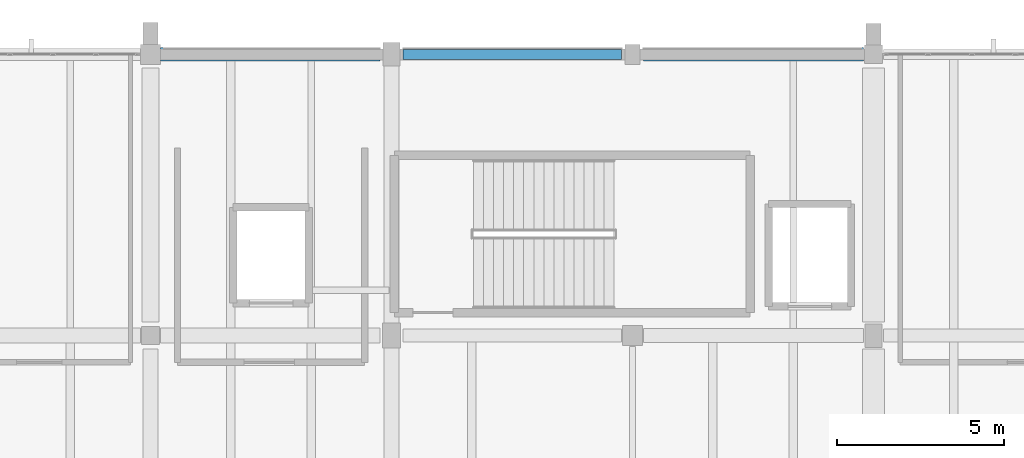
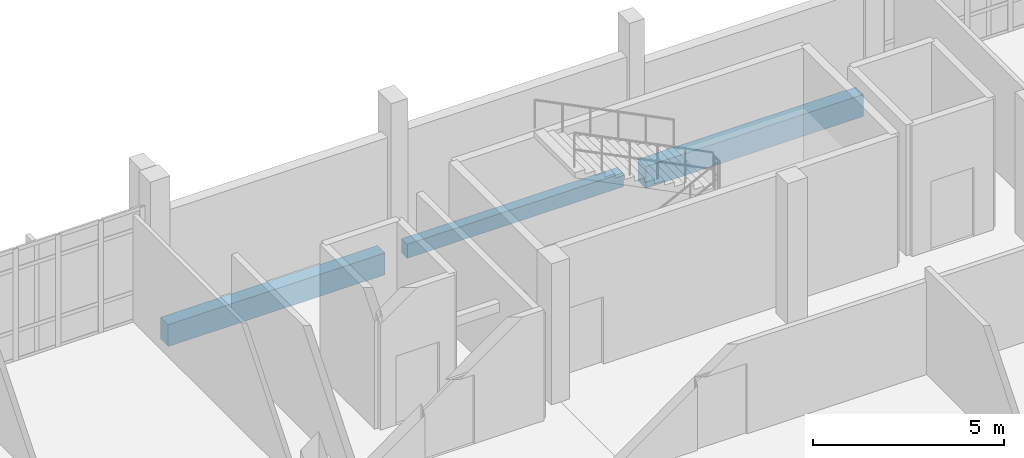
# One storey, part 32 of 62: 3 beams.
"""IFC4 building model written with IfcOpenShell, lengths in metres."""

from ifc_helpers import new_model, si_unit, direction, frame, origin, origin_2d, place, context, subcontext, project, spatial, rectangle, extrude, material, material_profile, profile_set, type_object, element, save


model = new_model("IFC4")

# Units and contexts
model_context = context("Model", 3, precision=1e-05, world=origin(), true_north=direction((0.0, 1.0)))
body_context = subcontext(model_context, "Body", "Model", "MODEL_VIEW")
ifc_project = project(units=[si_unit("LENGTHUNIT", "METRE"), si_unit("AREAUNIT", "SQUARE_METRE"), si_unit("VOLUMEUNIT", "CUBIC_METRE"), si_unit("PLANEANGLEUNIT", "RADIAN"), si_unit("MASSUNIT", "GRAM", prefix="KILO")], contexts=[model_context])

# Site, building, storey
site_placement = place(None, origin())
site = spatial("IfcSite", under=ifc_project, at=site_placement, CompositionType="ELEMENT")
building_placement = place(site_placement, origin())
building = spatial("IfcBuilding", under=site, at=building_placement, Name="Kalluvel Institute of Natural Sciences", CompositionType="ELEMENT")
storey_placement = place(building_placement, frame((0.0, 0.0, 27.89990234375)))
storey = spatial("IfcBuildingStorey", under=building, at=storey_placement, Name="L06", CompositionType="ELEMENT", Elevation=27.89990234375)

# Beams
ifc_material = material(Name="Concrete M40", Category="concrete")
ifc_material_profile_1 = material_profile(ifc_material, rectangle(XDim=0.300048828125, YDim=0.449951171875, at=origin_2d()), Name="RCB 300x450")
ifc_profile_set_1 = profile_set([ifc_material_profile_1], Name="Concrete M40")
beam_type_1 = type_object("IfcBeamType", Name="SP-RC300x450", PredefinedType="SPANDREL", material=ifc_profile_set_1)
beam_1_placement = place(storey_placement, frame((64.75, 128.0, -0.544921875), z_axis=(1.0, 0.0, 0.0), x_axis=(0.0, 1.0, 0.0)))
element("IfcBeam", 1, at=beam_1_placement, inside=storey, type_object=beam_type_1, Name="L06 girder GIR-L06-EW-X644-Y1280", PredefinedType="SPANDREL", context=body_context, shape_type="SweptSolid", body=[
    extrude(rectangle(XDim=0.300048828125, YDim=0.449951171875, at=origin_2d()), origin(), (0.0, 0.0, 1.0), 6.52490234375),
])
ifc_material_profile_2 = material_profile(ifc_material, rectangle(XDim=0.39990234375, YDim=0.699951171875, at=origin_2d()), Name="RCB 400x700")
ifc_profile_set_2 = profile_set([ifc_material_profile_2], Name="Concrete M40")
beam_type_2 = type_object("IfcBeamType", Name="SP-RC400x700", PredefinedType="SPANDREL", material=ifc_profile_set_2)
beam_2_placement = place(storey_placement, frame((57.5, 128.0, -0.669921875), z_axis=(1.0, 0.0, 0.0), x_axis=(0.0, 1.0, 0.0)))
element("IfcBeam", 2, at=beam_2_placement, inside=storey, type_object=beam_type_2, Name="L06 girder GIR-L06-EW-X572-Y1280", PredefinedType="SPANDREL", context=body_context, shape_type="SweptSolid", body=[
    extrude(rectangle(XDim=0.39990234375, YDim=0.699951171875, at=origin_2d()), origin(), (0.0, 0.0, 1.0), 6.550048828125),
])
beam_3_placement = place(storey_placement, frame((71.925048828125, 128.0, -0.669921875), z_axis=(1.0, 0.0, 0.0), x_axis=(0.0, 1.0, 0.0)))
element("IfcBeam", 3, at=beam_3_placement, inside=storey, type_object=beam_type_2, Name="L06 girder GIR-L06-EW-X716-Y1280", PredefinedType="SPANDREL", context=body_context, shape_type="SweptSolid", body=[
    extrude(rectangle(XDim=0.39990234375, YDim=0.699951171875, at=origin_2d()), origin(), (0.0, 0.0, 1.0), 6.574951171875),
])

save(model, "model.ifc")
